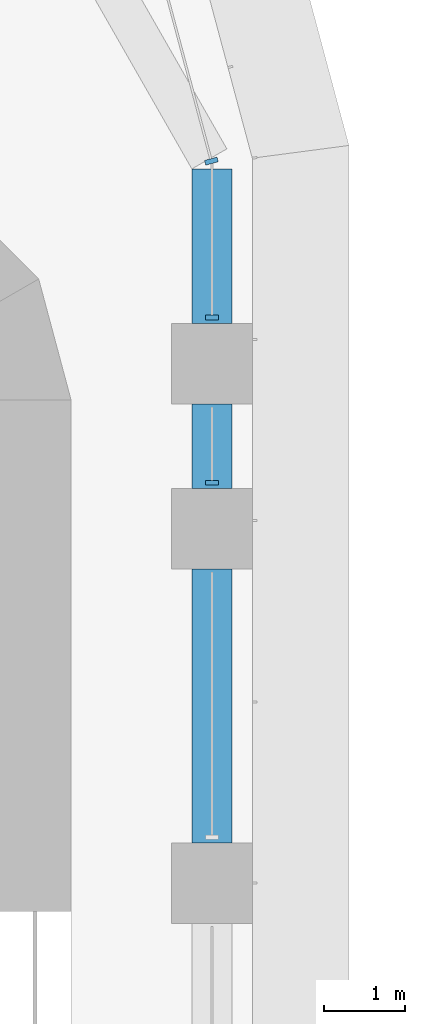
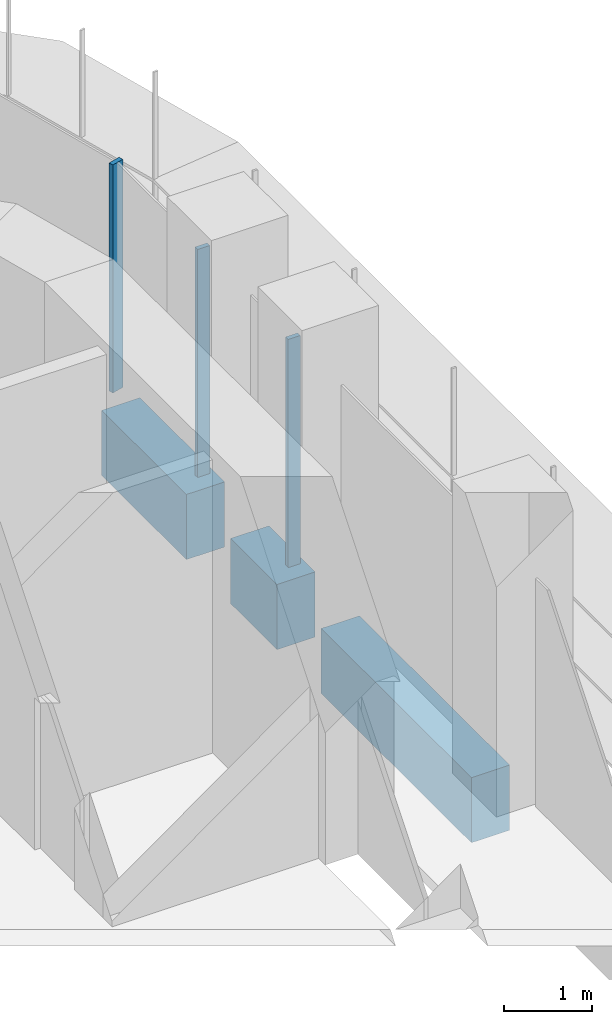
# One storey, part 10 of 23: 3 beams, 3 members, 2 elements without a shape of their own.
"""IFC4 building model written with IfcOpenShell, lengths in metres."""

from ifc_helpers import new_model, si_unit, direction, frame, origin, origin_2d, place, context, subcontext, project, spatial, polyline, rectangle, outline, extrude, source, transform, mapped, material, material_profile, profile_set, type_object, element, aggregate, save


model = new_model("IFC4")

# Units and contexts
model_context = context("Model", 3, precision=1e-05, world=origin(), true_north=direction((0.0, 1.0)))
body_context = subcontext(model_context, "Body", "Model", "MODEL_VIEW")
ifc_project = project(units=[si_unit("LENGTHUNIT", "METRE"), si_unit("AREAUNIT", "SQUARE_METRE"), si_unit("VOLUMEUNIT", "CUBIC_METRE"), si_unit("PLANEANGLEUNIT", "RADIAN"), si_unit("MASSUNIT", "GRAM", prefix="KILO")], contexts=[model_context])

# Site, building, storey
site_placement = place(None, origin())
site = spatial("IfcSite", under=ifc_project, at=site_placement, CompositionType="ELEMENT")
building_placement = place(site_placement, origin())
building = spatial("IfcBuilding", under=site, at=building_placement, Name="Zarbagh Exchange Tower", CompositionType="ELEMENT")
storey_placement = place(building_placement, frame((0.0, 0.0, 64.800048828125)))
storey = spatial("IfcBuildingStorey", under=building, at=storey_placement, Name="L14", CompositionType="ELEMENT", Elevation=64.800048828125)

# Beams
ifc_material_1 = material(Name="Concrete C60/75", Category="concrete")
ifc_material_profile = material_profile(ifc_material_1, rectangle(XDim=0.5, YDim=0.89990234375, at=origin_2d()), Name="RC spandrel beam 500 x 900 C60/75")
ifc_profile_set = profile_set([ifc_material_profile], Name="Concrete C60/75")
beam_type = type_object("IfcBeamType", Name="RC spandrel beam 500 x 900 C60/75", PredefinedType="SPANDREL", material=ifc_profile_set)
beam_1_placement = place(storey_placement, frame((6.25, 29.117919921875, -0.60009765625), z_axis=(0.0, -1.0, 0.0), x_axis=(1.0, 0.0, 0.0)))
element("IfcBeam", 1, at=beam_1_placement, inside=storey, type_object=beam_type, Name="RC spandrel beam", PredefinedType="SPANDREL", context=body_context, shape_type="SweptSolid", body=[
    extrude(rectangle(XDim=0.5, YDim=0.89990234375, at=origin_2d()), origin(), (0.0, 0.0, 1.0), 1.91796875),
])
beam_2_placement = place(storey_placement, frame((6.25, 26.199951171875, -0.60009765625), z_axis=(0.0, -1.0, 0.0), x_axis=(1.0, 0.0, 0.0)))
element("IfcBeam", 2, at=beam_2_placement, inside=storey, type_object=beam_type, Name="RC spandrel beam", PredefinedType="SPANDREL", context=body_context, shape_type="SweptSolid", body=[
    extrude(rectangle(XDim=0.5, YDim=0.89990234375, at=origin_2d()), origin(), (0.0, 0.0, 1.0), 1.050048828125),
])
beam_3_placement = place(storey_placement, frame((6.25, 24.14990234375, -0.60009765625), z_axis=(0.0, -1.0, 0.0), x_axis=(1.0, 0.0, 0.0)))
element("IfcBeam", 3, at=beam_3_placement, inside=storey, type_object=beam_type, Name="RC spandrel beam", PredefinedType="SPANDREL", context=body_context, shape_type="SweptSolid", body=[
    extrude(rectangle(XDim=0.5, YDim=0.89990234375, at=origin_2d()), origin(), (0.0, 0.0, 1.0), 3.39990234375),
])

# Curtain wall, members
ifc_material_2 = material(Name="Anodised aluminium frame and glazing", Category="aluminium")
curtain_wall_type = type_object("IfcCurtainWallType", Name="CWA Ribbon glazing, lower zones", PredefinedType="NOTDEFINED", material=ifc_material_2)
curtain_wall_1_placement = place(storey_placement, origin())
curtain_wall_1 = element("IfcCurtainWall", 4, at=curtain_wall_1_placement, inside=storey, type_object=curtain_wall_type, Name="CWA20 curtain wall", PredefinedType="NOTDEFINED")
ifc_material_3 = material(Name="Anodised aluminium frame", Category="aluminium")
member_type = type_object("IfcMemberType", Name="MUA Mullion, anodised aluminium frame", PredefinedType="MULLION", material=ifc_material_3)
shared_shape = source(origin(), body_context, "Body", "SweptSolid", [
    extrude(outline(polyline([(0.0, -0.080078125), (0.06005859375, -0.080078125), (0.06005859375, 0.080078125), (0.0, 0.080078125), (0.0, -0.080078125)])), origin(), (0.0, 0.0, 1.0), 3.14990234375),
])
placement = place(storey_placement, origin())
member_1 = element("IfcMember", 5, at=placement, type_object=member_type, Name="CWA20 mullion 4.1", PredefinedType="MULLION", context=body_context, shape_type="MappedRepresentation", body=[
    mapped(shared_shape, transform((6.25, 25.18994140625, 0.0), x_axis=(0.0, 1.0, 0.0), y_axis=(-1.0, 0.0, 0.0), z_axis=(0.0, 0.0, 1.0))),
])
member_2 = element("IfcMember", 6, at=placement, type_object=member_type, Name="CWA20 mullion 5.1", PredefinedType="MULLION", context=body_context, shape_type="MappedRepresentation", body=[
    mapped(shared_shape, transform((6.25, 27.239990234375, 0.0), x_axis=(0.0, 1.0, 0.0), y_axis=(-1.0, 0.0, 0.0), z_axis=(0.0, 0.0, 1.0))),
])
aggregate(curtain_wall_1, [member_1, member_2])

# Curtain wall, member
curtain_wall_2_placement = place(storey_placement, origin())
curtain_wall_2 = element("IfcCurtainWall", 7, at=curtain_wall_2_placement, inside=storey, type_object=curtain_wall_type, Name="CWA21 curtain wall", PredefinedType="NOTDEFINED")
member_3 = element("IfcMember", 8, at=placement, type_object=member_type, Name="CWA21 mullion 1.1", PredefinedType="MULLION", context=body_context, shape_type="MappedRepresentation", body=[
    mapped(shared_shape, transform((6.25, 29.18408203125, 0.0), x_axis=(-0.258824779902, 0.965924289636, 0.0), y_axis=(-0.965924289636, -0.258824779902, 0.0), z_axis=(0.0, 0.0, 1.0))),
])
aggregate(curtain_wall_2, [member_3])

save(model, "model.ifc")
